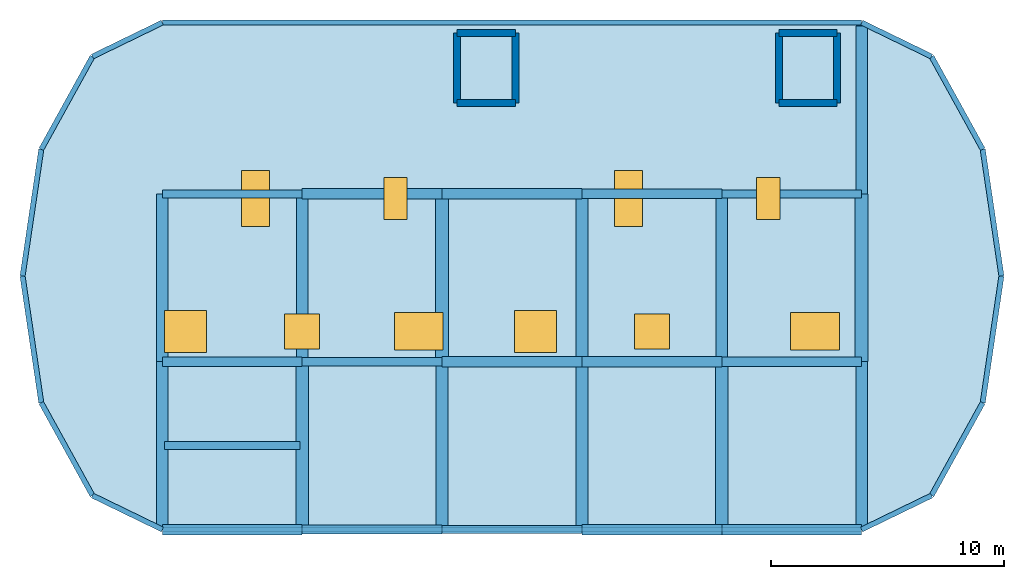
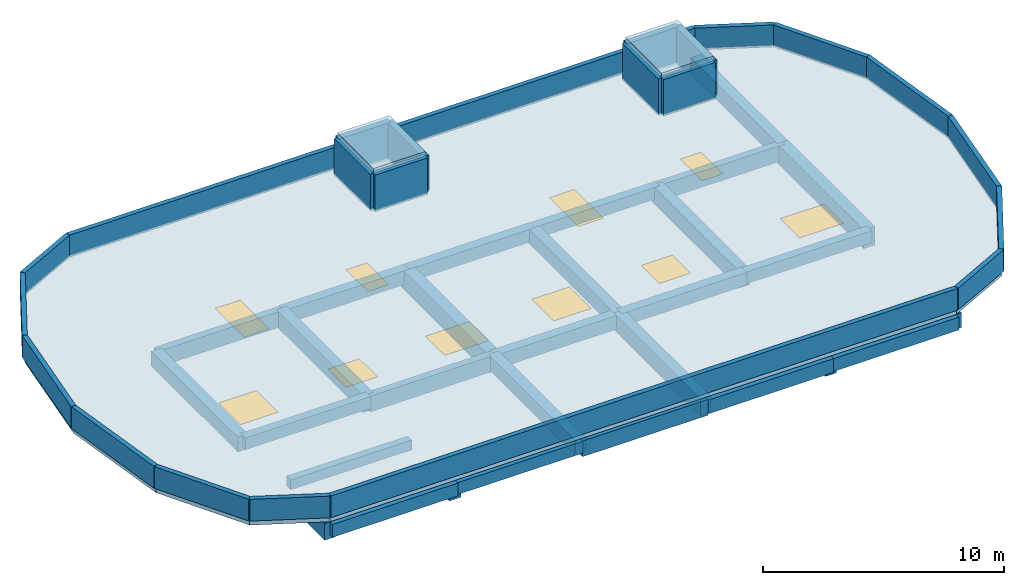
"""IFC4 building model written with IfcOpenShell, lengths in metres."""

from ifc_helpers import new_model, si_unit, direction, frame, frame_2d, origin, origin_2d, place, context, subcontext, project, spatial, polyline, rectangle, outline, extrude, material, layer, layer_set, material_profile, profile_set, type_object, element, fill, save


model = new_model("IFC4")

# Units and contexts
model_context = context("Model", 3, precision=1e-05, world=origin(), true_north=direction((0.0, 1.0)))
body_context = subcontext(model_context, "Body", "Model", "MODEL_VIEW")
ifc_project = project(units=[si_unit("LENGTHUNIT", "METRE"), si_unit("AREAUNIT", "SQUARE_METRE"), si_unit("VOLUMEUNIT", "CUBIC_METRE"), si_unit("PLANEANGLEUNIT", "RADIAN"), si_unit("MASSUNIT", "GRAM", prefix="KILO")], contexts=[model_context])

# Site, building, storey
site_placement = place(None, origin())
site = spatial("IfcSite", under=ifc_project, at=site_placement, CompositionType="ELEMENT")
building_placement = place(site_placement, origin())
building = spatial("IfcBuilding", under=site, at=building_placement, Name="Dunvalen Ferry Terminal", CompositionType="ELEMENT")
storey_1_placement = place(building_placement, frame((0.0, 0.0, 21.06005859375)))
storey_1 = spatial("IfcBuildingStorey", under=building, at=storey_1_placement, Name="RF", CompositionType="ELEMENT", Elevation=21.06005859375)

# Beams
ifc_material_1 = material(Name="Concrete C35/45", Category="concrete")
ifc_material_profile_1 = material_profile(ifc_material_1, rectangle(XDim=0.35009765625, YDim=0.5, at=origin_2d()), Name="Concrete C35/45")
ifc_profile_set_1 = profile_set([ifc_material_profile_1], Name="Concrete C35/45")
beam_type_1 = type_object("IfcBeamType", Name="STR-BM-RCB500W", PredefinedType="JOIST", material=ifc_profile_set_1)
beam_1_placement = place(storey_1_placement, frame((24.10009765625, 3.60009765625, -0.530029296875), z_axis=(1.0, 0.0, 0.0), x_axis=(0.0, 1.0, 0.0)))
element("IfcBeam", 1, at=beam_1_placement, inside=storey_1, type_object=beam_type_1, Name="RF V5P0 Secondary Joist 001", PredefinedType="JOIST", context=body_context, shape_type="SweptSolid", body=[
    extrude(rectangle(XDim=0.35009765625, YDim=0.5, at=origin_2d()), origin(), (0.0, 0.0, 1.0), 5.7998046875),
])
ifc_material_profile_2 = material_profile(ifc_material_1, rectangle(XDim=0.39990234375, YDim=0.60009765625, at=origin_2d()), Name="Concrete C35/45")
ifc_profile_set_2 = profile_set([ifc_material_profile_2], Name="Concrete C35/45")
beam_type_2 = type_object("IfcBeamType", Name="STR-BM-RCB600", PredefinedType="BEAM", material=ifc_profile_set_2)
for number, where, z_axis, x_axis, name in (
    (2, (30.0, 0.0, -0.580078125), (1.0, 0.0, 0.0), (0.0, 1.0, 0.0), "RF V5P0 Primary Beam X-002"),
    (3, (24.0, 7.199951171875, -0.580078125), (1.0, 0.0, 0.0), (0.0, 1.0, 0.0), "RF V5P0 Primary Beam X-006"),
    (4, (48.0, 7.199951171875, -0.580078125), (1.0, 0.0, 0.0), (0.0, 1.0, 0.0), "RF V5P0 Primary Beam X-010"),
    (5, (42.0, 14.39990234375, -0.580078125), (1.0, 0.0, 0.0), (0.0, 1.0, 0.0), "RF V5P0 Primary Beam X-014"),
):
    element("IfcBeam", number, at=place(storey_1_placement, frame(where, z_axis=z_axis, x_axis=x_axis)), inside=storey_1, type_object=beam_type_2, Name=name, PredefinedType="BEAM", context=body_context, shape_type="SweptSolid", body=[
        extrude(rectangle(XDim=0.39990234375, YDim=0.60009765625, at=origin_2d()), origin(), (0.0, 0.0, 1.0), 6.0),
    ])
ifc_material_2 = material(Name="Concrete C40/50", Category="concrete")
ifc_material_profile_3 = material_profile(ifc_material_2, rectangle(XDim=0.449951171875, YDim=0.64990234375, at=origin_2d()), Name="Concrete C40/50")
ifc_profile_set_3 = profile_set([ifc_material_profile_3], Name="Concrete C40/50")
beam_type_3 = type_object("IfcBeamType", Name="STR-BM-RCB650W", PredefinedType="BEAM", material=ifc_profile_set_3)
for number, where, z_axis, x_axis, name in (
    (6, (24.0, 0.0, -0.60498046875), (1.0, 0.0, 0.0), (0.0, 1.0, 0.0), "RF V5P0 Primary Beam X-001"),
    (7, (48.0, 0.0, -0.60498046875), (1.0, 0.0, 0.0), (0.0, 1.0, 0.0), "RF V5P0 Primary Beam X-005"),
    (8, (42.0, 7.199951171875, -0.60498046875), (1.0, 0.0, 0.0), (0.0, 1.0, 0.0), "RF V5P0 Primary Beam X-009"),
    (9, (36.0, 14.39990234375, -0.60498046875), (1.0, 0.0, 0.0), (0.0, 1.0, 0.0), "RF V5P0 Primary Beam X-013"),
):
    element("IfcBeam", number, at=place(storey_1_placement, frame(where, z_axis=z_axis, x_axis=x_axis)), inside=storey_1, type_object=beam_type_3, Name=name, PredefinedType="BEAM", context=body_context, shape_type="SweptSolid", body=[
        extrude(rectangle(XDim=0.449951171875, YDim=0.64990234375, at=origin_2d()), origin(), (0.0, 0.0, 1.0), 6.0),
    ])
ifc_material_profile_4 = material_profile(ifc_material_2, rectangle(XDim=0.449951171875, YDim=0.699951171875, at=origin_2d()), Name="Concrete C40/50")
ifc_profile_set_4 = profile_set([ifc_material_profile_4], Name="Concrete C40/50")
beam_type_4 = type_object("IfcBeamType", Name="STR-BM-RCB700", PredefinedType="BEAM", material=ifc_profile_set_4)
for number, where, z_axis, x_axis, name in (
    (10, (42.0, 0.0, -0.630126953125), (1.0, 0.0, 0.0), (0.0, 1.0, 0.0), "RF V5P0 Primary Beam X-004"),
    (11, (36.0, 7.199951171875, -0.630126953125), (1.0, 0.0, 0.0), (0.0, 1.0, 0.0), "RF V5P0 Primary Beam X-008"),
    (12, (30.0, 14.39990234375, -0.630126953125), (1.0, 0.0, 0.0), (0.0, 1.0, 0.0), "RF V5P0 Primary Beam X-012"),
):
    element("IfcBeam", number, at=place(storey_1_placement, frame(where, z_axis=z_axis, x_axis=x_axis)), inside=storey_1, type_object=beam_type_4, Name=name, PredefinedType="BEAM", context=body_context, shape_type="SweptSolid", body=[
        extrude(rectangle(XDim=0.449951171875, YDim=0.699951171875, at=origin_2d()), origin(), (0.0, 0.0, 1.0), 6.0),
    ])
ifc_material_profile_5 = material_profile(ifc_material_2, rectangle(XDim=0.5, YDim=0.75, at=origin_2d()), Name="Concrete C40/50")
ifc_profile_set_5 = profile_set([ifc_material_profile_5], Name="Concrete C40/50")
beam_type_5 = type_object("IfcBeamType", Name="STR-BM-RCB750", PredefinedType="BEAM", material=ifc_profile_set_5)
for number, where, z_axis, x_axis, name in (
    (13, (24.0, 7.199951171875, -0.655029296875), (0.0, 1.0, 0.0), (-1.0, 0.0, 0.0), "RF V5P0 Primary Girder Y-017"),
    (14, (36.0, 0.0, -0.655029296875), (0.0, 1.0, 0.0), (-1.0, 0.0, 0.0), "RF V5P0 Primary Girder Y-020"),
    (15, (42.0, 7.199951171875, -0.655029296875), (0.0, 1.0, 0.0), (-1.0, 0.0, 0.0), "RF V5P0 Primary Girder Y-023"),
    (16, (54.0, 0.0, -0.655029296875), (0.0, 1.0, 0.0), (-1.0, 0.0, 0.0), "RF V5P0 Primary Girder Y-026"),
):
    element("IfcBeam", number, at=place(storey_1_placement, frame(where, z_axis=z_axis, x_axis=x_axis)), inside=storey_1, type_object=beam_type_5, Name=name, PredefinedType="BEAM", context=body_context, shape_type="SweptSolid", body=[
        extrude(rectangle(XDim=0.5, YDim=0.75, at=origin_2d()), origin(), (0.0, 0.0, 1.0), 7.199951171875),
    ])
ifc_material_profile_6 = material_profile(ifc_material_2, rectangle(XDim=0.5, YDim=0.85009765625, at=origin_2d()), Name="Concrete C40/50")
ifc_profile_set_6 = profile_set([ifc_material_profile_6], Name="Concrete C40/50")
beam_type_6 = type_object("IfcBeamType", Name="STR-BM-RCG850", PredefinedType="BEAM", material=ifc_profile_set_6)
for number, where, z_axis, x_axis, name in (
    (17, (24.0, 0.0, -0.705078125), (0.0, 1.0, 0.0), (-1.0, 0.0, 0.0), "RF V5P0 Primary Girder Y-016"),
    (18, (30.0, 7.199951171875, -0.705078125), (0.0, 1.0, 0.0), (-1.0, 0.0, 0.0), "RF V5P0 Primary Girder Y-019"),
    (19, (42.0, 0.0, -0.705078125), (0.0, 1.0, 0.0), (-1.0, 0.0, 0.0), "RF V5P0 Primary Girder Y-022"),
    (20, (48.0, 7.199951171875, -0.705078125), (0.0, 1.0, 0.0), (-1.0, 0.0, 0.0), "RF V5P0 Primary Girder Y-025"),
):
    element("IfcBeam", number, at=place(storey_1_placement, frame(where, z_axis=z_axis, x_axis=x_axis)), inside=storey_1, type_object=beam_type_6, Name=name, PredefinedType="BEAM", context=body_context, shape_type="SweptSolid", body=[
        extrude(rectangle(XDim=0.5, YDim=0.85009765625, at=origin_2d()), origin(), (0.0, 0.0, 1.0), 7.199951171875),
    ])
beam_2_placement = place(storey_1_placement, frame((54.0, 14.39990234375, -0.705078125), z_axis=(0.0, 1.0, 0.0), x_axis=(-1.0, 0.0, 0.0)))
element("IfcBeam", 21, at=beam_2_placement, inside=storey_1, type_object=beam_type_6, Name="RF V5P0 Primary Girder Y-028", PredefinedType="BEAM", context=body_context, shape_type="SweptSolid", body=[
    extrude(rectangle(XDim=0.5, YDim=0.85009765625, at=origin_2d()), origin(), (0.0, 0.0, 1.0), 7.2001953125),
])
ifc_material_profile_7 = material_profile(ifc_material_2, rectangle(XDim=0.550048828125, YDim=0.949951171875, at=origin_2d()), Name="Concrete C40/50")
ifc_profile_set_7 = profile_set([ifc_material_profile_7], Name="Concrete C40/50")
beam_type_7 = type_object("IfcBeamType", Name="STR-BM-RCG950", PredefinedType="BEAM", material=ifc_profile_set_7)
for number, where, z_axis, x_axis, name in (
    (22, (30.0, 0.0, -0.755126953125), (0.0, 1.0, 0.0), (-1.0, 0.0, 0.0), "RF V5P0 Primary Girder Y-018"),
    (23, (36.0, 7.199951171875, -0.755126953125), (0.0, 1.0, 0.0), (-1.0, 0.0, 0.0), "RF V5P0 Primary Girder Y-021"),
    (24, (48.0, 0.0, -0.755126953125), (0.0, 1.0, 0.0), (-1.0, 0.0, 0.0), "RF V5P0 Primary Girder Y-024"),
    (25, (54.0, 7.199951171875, -0.755126953125), (0.0, 1.0, 0.0), (-1.0, 0.0, 0.0), "RF V5P0 Primary Girder Y-027"),
):
    element("IfcBeam", number, at=place(storey_1_placement, frame(where, z_axis=z_axis, x_axis=x_axis)), inside=storey_1, type_object=beam_type_7, Name=name, PredefinedType="BEAM", context=body_context, shape_type="SweptSolid", body=[
        extrude(rectangle(XDim=0.550048828125, YDim=0.949951171875, at=origin_2d()), origin(), (0.0, 0.0, 1.0), 7.199951171875),
    ])
ifc_material_profile_8 = material_profile(ifc_material_2, rectangle(XDim=0.35009765625, YDim=0.800048828125, at=origin_2d()), Name="Concrete C40/50")
ifc_profile_set_8 = profile_set([ifc_material_profile_8], Name="Concrete C40/50")
beam_type_8 = type_object("IfcBeamType", Name="STR-BM-RCSP800", PredefinedType="SPANDREL", material=ifc_profile_set_8)
for number, where, z_axis, x_axis, name in (
    (26, (36.0, 0.0, -0.68017578125), (1.0, 0.0, 0.0), (0.0, 1.0, 0.0), "RF V5P0 Primary Beam X-003"),
    (27, (30.0, 7.199951171875, -0.68017578125), (1.0, 0.0, 0.0), (0.0, 1.0, 0.0), "RF V5P0 Primary Beam X-007"),
    (28, (24.0, 14.39990234375, -0.68017578125), (1.0, 0.0, 0.0), (0.0, 1.0, 0.0), "RF V5P0 Primary Beam X-011"),
    (29, (48.0, 14.39990234375, -0.68017578125), (1.0, 0.0, 0.0), (0.0, 1.0, 0.0), "RF V5P0 Primary Beam X-015"),
):
    element("IfcBeam", number, at=place(storey_1_placement, frame(where, z_axis=z_axis, x_axis=x_axis)), inside=storey_1, type_object=beam_type_8, Name=name, PredefinedType="SPANDREL", context=body_context, shape_type="SweptSolid", body=[
        extrude(rectangle(XDim=0.35009765625, YDim=0.800048828125, at=origin_2d()), origin(), (0.0, 0.0, 1.0), 6.0),
    ])

# Slabs
ifc_layer_1 = layer(ifc_material_2, 0.239990234375, Name="Concrete C40/50")
ifc_layer_set_1 = layer_set([ifc_layer_1], Name="Concrete C40/50")
slab_type_1 = type_object("IfcSlabType", Name="STR-SLB-RF240", PredefinedType="ROOF", material=ifc_layer_set_1)
slab_1_placement = place(storey_1_placement, frame((0.0, 0.0, 1.83984375)))
element("IfcSlab", 30, at=slab_1_placement, inside=storey_1, type_object=slab_type_1, Name="RF LF-01 Lift Overrun Roof Slab", PredefinedType="ROOF", context=body_context, shape_type="SweptSolid", body=[
    extrude(outline(polyline([(36.64990234375, 18.300048828125), (39.14990234375, 18.300048828125), (39.14990234375, 21.300048828125), (36.64990234375, 21.300048828125), (36.64990234375, 18.300048828125)])), origin(), (0.0, 0.0, 1.0), 0.239990234375),
])
slab_2_placement = place(storey_1_placement, frame((0.0, 0.0, 1.83984375)))
element("IfcSlab", 31, at=slab_2_placement, inside=storey_1, type_object=slab_type_1, Name="RF LF-02 Lift Overrun Roof Slab", PredefinedType="ROOF", context=body_context, shape_type="SweptSolid", body=[
    extrude(outline(polyline([(50.449951171875, 18.300048828125), (52.949951171875, 18.300048828125), (52.949951171875, 21.300048828125), (50.449951171875, 21.300048828125), (50.449951171875, 18.300048828125)])), origin(), (0.0, 0.0, 1.0), 0.239990234375),
])

# Slab, openings
ifc_layer_2 = layer(ifc_material_2, 0.280029296875, Name="Concrete C40/50")
ifc_layer_set_2 = layer_set([ifc_layer_2], Name="Concrete C40/50")
slab_type_2 = type_object("IfcSlabType", Name="STR-SLB-RF280", PredefinedType="ROOF", material=ifc_layer_set_2)
slab_3_placement = place(storey_1_placement, frame((0.0, 0.0, -0.280029296875)))
slab_3 = element("IfcSlab", 32, at=slab_3_placement, inside=storey_1, type_object=slab_type_2, Name="RF Harbourmaster Wing Main Roof Slab", PredefinedType="ROOF", context=body_context, shape_type="SweptSolid", body=[
    extrude(outline(polyline([(24.0, 0.0), (54.0, 0.0), (57.0, 1.45703125), (59.1962890625, 5.4375), (60.0, 10.875), (59.1962890625, 16.3125), (57.0, 20.29296875), (54.0, 21.75), (24.0, 21.75), (21.0, 20.29296875), (18.8037109375, 16.3125), (18.0, 10.875), (18.8037109375, 5.4375), (21.0, 1.45703125), (24.0, 0.0)])), origin(), (0.0, 0.0, 1.0), 0.280029296875),
])
opening_1_placement = place(slab_3_placement, frame((28.0, 14.199951171875, 0.0)))
opening_1 = element("IfcOpeningElement", 33, at=opening_1_placement, cuts=slab_3, Name="Opening SK-01", PredefinedType="OPENING", context=body_context, shape_type="SweptSolid", body=[
    extrude(rectangle(XDim=1.199951171875, YDim=2.39990234375, at=origin_2d()), origin(), (0.0, 0.0, 1.0), 0.280029296875),
])
opening_2_placement = place(slab_3_placement, frame((34.0, 14.199951171875, 0.0)))
opening_2 = element("IfcOpeningElement", 34, at=opening_2_placement, cuts=slab_3, Name="Opening SK-03", PredefinedType="OPENING", context=body_context, shape_type="SweptSolid", body=[
    extrude(rectangle(XDim=1.0, YDim=1.800048828125, at=origin_2d()), origin(), (0.0, 0.0, 1.0), 0.280029296875),
])
opening_3_placement = place(slab_3_placement, frame((44.0, 14.199951171875, 0.0)))
opening_3 = element("IfcOpeningElement", 35, at=opening_3_placement, cuts=slab_3, Name="Opening SK-01", PredefinedType="OPENING", context=body_context, shape_type="SweptSolid", body=[
    extrude(rectangle(XDim=1.199951171875, YDim=2.39990234375, at=origin_2d()), origin(), (0.0, 0.0, 1.0), 0.280029296875),
])
opening_4_placement = place(slab_3_placement, frame((50.0, 14.199951171875, 0.0)))
opening_4 = element("IfcOpeningElement", 36, at=opening_4_placement, cuts=slab_3, Name="Opening SK-03", PredefinedType="OPENING", context=body_context, shape_type="SweptSolid", body=[
    extrude(rectangle(XDim=1.0, YDim=1.800048828125, at=origin_2d()), origin(), (0.0, 0.0, 1.0), 0.280029296875),
])
opening_5_placement = place(slab_3_placement, frame((25.0, 8.5, 0.0)))
opening_5 = element("IfcOpeningElement", 37, at=opening_5_placement, cuts=slab_3, Name="Opening LDM-01", PredefinedType="OPENING", context=body_context, shape_type="SweptSolid", body=[
    extrude(rectangle(XDim=1.800048828125, YDim=1.800048828125, at=origin_2d()), origin(), (0.0, 0.0, 1.0), 0.280029296875),
])
opening_6_placement = place(slab_3_placement, frame((30.0, 8.5, 0.0)))
opening_6 = element("IfcOpeningElement", 38, at=opening_6_placement, cuts=slab_3, Name="Opening LDM-02", PredefinedType="OPENING", context=body_context, shape_type="SweptSolid", body=[
    extrude(rectangle(XDim=1.5, YDim=1.5, at=origin_2d()), origin(), (0.0, 0.0, 1.0), 0.280029296875),
])
opening_7_placement = place(slab_3_placement, frame((35.0, 8.5, 0.0)))
opening_7 = element("IfcOpeningElement", 39, at=opening_7_placement, cuts=slab_3, Name="Opening LDM-03", PredefinedType="OPENING", context=body_context, shape_type="SweptSolid", body=[
    extrude(rectangle(XDim=2.10009765625, YDim=1.60009765625, at=origin_2d()), origin(), (0.0, 0.0, 1.0), 0.280029296875),
])
opening_8_placement = place(slab_3_placement, frame((40.0, 8.5, 0.0)))
opening_8 = element("IfcOpeningElement", 40, at=opening_8_placement, cuts=slab_3, Name="Opening LDM-01", PredefinedType="OPENING", context=body_context, shape_type="SweptSolid", body=[
    extrude(rectangle(XDim=1.800048828125, YDim=1.800048828125, at=origin_2d()), origin(), (0.0, 0.0, 1.0), 0.280029296875),
])
opening_9_placement = place(slab_3_placement, frame((45.0, 8.5, 0.0)))
opening_9 = element("IfcOpeningElement", 41, at=opening_9_placement, cuts=slab_3, Name="Opening LDM-02", PredefinedType="OPENING", context=body_context, shape_type="SweptSolid", body=[
    extrude(rectangle(XDim=1.5, YDim=1.5, at=origin_2d()), origin(), (0.0, 0.0, 1.0), 0.280029296875),
])
opening_10_placement = place(slab_3_placement, frame((52.0, 8.5, 0.0)))
opening_10 = element("IfcOpeningElement", 42, at=opening_10_placement, cuts=slab_3, Name="Opening LDM-03", PredefinedType="OPENING", context=body_context, shape_type="SweptSolid", body=[
    extrude(rectangle(XDim=2.10009765625, YDim=1.60009765625, at=origin_2d()), origin(), (0.0, 0.0, 1.0), 0.280029296875),
])

# Storey
storey_2_placement = place(building_placement, frame((0.0, 0.0, 17.320068359375)))
storey_2 = spatial("IfcBuildingStorey", under=building, at=storey_2_placement, Name="L04", CompositionType="ELEMENT", Elevation=17.320068359375)

# Window
ifc_material_3 = material(Name="Thermally broken aluminium and double glazing", Category="aluminium")
window_type_1 = type_object("IfcWindowType", Name="ENV-SKY-DOM-01", PartitioningType="SINGLE_PANEL", PredefinedType="LIGHTDOME", material=ifc_material_3)
window_1_placement = place(opening_5_placement, frame((0.0, 0.0, 0.22998046875)))
window_1 = element("IfcWindow", 43, at=window_1_placement, inside=storey_2, type_object=window_type_1, Name="RF Harbourmaster Bridge Acoustic Lightdome 01", OverallHeight=1.800048828125, OverallWidth=1.800048828125, PartitioningType="SINGLE_PANEL", PredefinedType="LIGHTDOME", context=body_context, shape_type="SweptSolid", body=[
    extrude(rectangle(XDim=1.800048828125, YDim=1.800048828125, at=origin_2d()), origin(), (0.0, 0.0, 1.0), 0.050048828125),
])

fill(opening_5, window_1)

window_2_placement = place(opening_8_placement, frame((0.0, 0.0, 0.22998046875)))
window_2 = element("IfcWindow", 44, at=window_2_placement, inside=storey_2, type_object=window_type_1, Name="RF Harbourmaster Bridge Acoustic Lightdome 04", OverallHeight=1.800048828125, OverallWidth=1.800048828125, PartitioningType="SINGLE_PANEL", PredefinedType="LIGHTDOME", context=body_context, shape_type="SweptSolid", body=[
    extrude(rectangle(XDim=1.800048828125, YDim=1.800048828125, at=origin_2d()), origin(), (0.0, 0.0, 1.0), 0.050048828125),
])

fill(opening_8, window_2)

window_type_2 = type_object("IfcWindowType", Name="ENV-SKY-DOM-02", PartitioningType="SINGLE_PANEL", PredefinedType="LIGHTDOME", material=ifc_material_3)
window_3_placement = place(opening_6_placement, frame((0.0, 0.0, 0.22998046875)))
window_3 = element("IfcWindow", 45, at=window_3_placement, inside=storey_2, type_object=window_type_2, Name="RF Harbourmaster Bridge Acoustic Lightdome 02", OverallHeight=1.5, OverallWidth=1.5, PartitioningType="SINGLE_PANEL", PredefinedType="LIGHTDOME", context=body_context, shape_type="SweptSolid", body=[
    extrude(rectangle(XDim=1.5, YDim=1.5, at=origin_2d()), origin(), (0.0, 0.0, 1.0), 0.050048828125),
])

fill(opening_6, window_3)

window_4_placement = place(opening_9_placement, frame((0.0, 0.0, 0.22998046875)))
window_4 = element("IfcWindow", 46, at=window_4_placement, inside=storey_2, type_object=window_type_2, Name="RF Harbourmaster Bridge Acoustic Lightdome 05", OverallHeight=1.5, OverallWidth=1.5, PartitioningType="SINGLE_PANEL", PredefinedType="LIGHTDOME", context=body_context, shape_type="SweptSolid", body=[
    extrude(rectangle(XDim=1.5, YDim=1.5, at=origin_2d()), origin(), (0.0, 0.0, 1.0), 0.050048828125),
])

fill(opening_9, window_4)

window_type_3 = type_object("IfcWindowType", Name="ENV-SKY-DOM-03", PartitioningType="SINGLE_PANEL", PredefinedType="LIGHTDOME", material=ifc_material_3)
window_5_placement = place(opening_7_placement, frame((0.0, 0.0, 0.22998046875)))
window_5 = element("IfcWindow", 47, at=window_5_placement, inside=storey_2, type_object=window_type_3, Name="RF Harbourmaster Bridge Acoustic Lightdome 03", OverallHeight=1.60009765625, OverallWidth=2.10009765625, PartitioningType="SINGLE_PANEL", PredefinedType="LIGHTDOME", context=body_context, shape_type="SweptSolid", body=[
    extrude(rectangle(XDim=2.10009765625, YDim=1.60009765625, at=origin_2d()), origin(), (0.0, 0.0, 1.0), 0.050048828125),
])

fill(opening_7, window_5)

window_6_placement = place(opening_10_placement, frame((0.0, 0.0, 0.22998046875)))
window_6 = element("IfcWindow", 48, at=window_6_placement, inside=storey_2, type_object=window_type_3, Name="RF Harbourmaster Bridge Acoustic Lightdome 06", OverallHeight=1.60009765625, OverallWidth=2.10009765625, PartitioningType="SINGLE_PANEL", PredefinedType="LIGHTDOME", context=body_context, shape_type="SweptSolid", body=[
    extrude(rectangle(XDim=2.10009765625, YDim=1.60009765625, at=origin_2d()), origin(), (0.0, 0.0, 1.0), 0.050048828125),
])

fill(opening_10, window_6)

window_type_4 = type_object("IfcWindowType", Name="ENV-SKY-HTH-01", PartitioningType="SINGLE_PANEL", PredefinedType="SKYLIGHT", material=ifc_material_3)
window_7_placement = place(opening_1_placement, frame((0.0, 0.0, 0.22998046875)))
window_7 = element("IfcWindow", 49, at=window_7_placement, inside=storey_2, type_object=window_type_4, Name="RF Roof Access Hatch Skylight 01", OverallHeight=2.39990234375, OverallWidth=1.199951171875, PartitioningType="SINGLE_PANEL", PredefinedType="SKYLIGHT", context=body_context, shape_type="SweptSolid", body=[
    extrude(rectangle(XDim=1.199951171875, YDim=2.39990234375, at=origin_2d()), origin(), (0.0, 0.0, 1.0), 0.050048828125),
])

fill(opening_1, window_7)

window_8_placement = place(opening_3_placement, frame((0.0, 0.0, 0.22998046875)))
window_8 = element("IfcWindow", 50, at=window_8_placement, inside=storey_2, type_object=window_type_4, Name="RF Roof Access Hatch Skylight 03", OverallHeight=2.39990234375, OverallWidth=1.199951171875, PartitioningType="SINGLE_PANEL", PredefinedType="SKYLIGHT", context=body_context, shape_type="SweptSolid", body=[
    extrude(rectangle(XDim=1.199951171875, YDim=2.39990234375, at=origin_2d()), origin(), (0.0, 0.0, 1.0), 0.050048828125),
])

fill(opening_3, window_8)

window_type_5 = type_object("IfcWindowType", Name="ENV-SKY-HTH-03", PartitioningType="SINGLE_PANEL", PredefinedType="SKYLIGHT", material=ifc_material_3)
window_9_placement = place(opening_2_placement, frame((0.0, 0.0, 0.22998046875)))
window_9 = element("IfcWindow", 51, at=window_9_placement, inside=storey_2, type_object=window_type_5, Name="RF Roof Access Hatch Skylight 02", OverallHeight=1.800048828125, OverallWidth=1.0, PartitioningType="SINGLE_PANEL", PredefinedType="SKYLIGHT", context=body_context, shape_type="SweptSolid", body=[
    extrude(rectangle(XDim=1.0, YDim=1.800048828125, at=origin_2d()), origin(), (0.0, 0.0, 1.0), 0.050048828125),
])

fill(opening_2, window_9)

window_10_placement = place(opening_4_placement, frame((0.0, 0.0, 0.22998046875)))
window_10 = element("IfcWindow", 52, at=window_10_placement, inside=storey_2, type_object=window_type_5, Name="RF Roof Access Hatch Skylight 04", OverallHeight=1.800048828125, OverallWidth=1.0, PartitioningType="SINGLE_PANEL", PredefinedType="SKYLIGHT", context=body_context, shape_type="SweptSolid", body=[
    extrude(rectangle(XDim=1.0, YDim=1.800048828125, at=origin_2d()), origin(), (0.0, 0.0, 1.0), 0.050048828125),
])

fill(opening_4, window_10)

# Walls
ifc_material_4 = material(Name="Precast concrete C40/50", Category="concrete")
ifc_layer_3 = layer(ifc_material_4, 0.219970703125, Name="Precast concrete C40/50")
ifc_layer_set_3 = layer_set([ifc_layer_3], Name="Precast concrete C40/50")
wall_type_1 = type_object("IfcWallType", Name="ENV-WL-PAR220", PredefinedType="PARAPET", material=ifc_layer_set_3)
wall_1_placement = place(storey_1_placement, frame((24.0, 0.0, 0.0), z_axis=(0.0, 0.0, 1.0), x_axis=(1.0, 0.0, 0.0)))
element("IfcWall", 53, at=wall_1_placement, inside=storey_1, type_object=wall_type_1, Name="RF Harbourmaster Wing Roof Parapet 01", PredefinedType="PARAPET", context=body_context, shape_type="SweptSolid", body=[
    extrude(rectangle(XDim=30.0, YDim=0.219970703125, at=frame_2d((15.0, 0.0))), origin(), (0.0, 0.0, 1.0), 1.099853515625),
])
wall_2_placement = place(storey_1_placement, frame((54.0, 0.0, 0.0), z_axis=(0.0, 0.0, 1.0), x_axis=(0.899521309608, 0.436876886046, 0.0)))
element("IfcWall", 54, at=wall_2_placement, inside=storey_1, type_object=wall_type_1, Name="RF Harbourmaster Wing Roof Parapet 02", PredefinedType="PARAPET", context=body_context, shape_type="SweptSolid", body=[
    extrude(rectangle(XDim=3.335205078125, YDim=0.219970703125, at=frame_2d((1.66748046875, 0.0))), origin(), (0.0, 0.0, 1.0), 1.099853515625),
])
wall_3_placement = place(storey_1_placement, frame((57.0, 1.45703125, 0.0), z_axis=(0.0, 0.0, 1.0), x_axis=(0.483105735842, 0.875562018361, 0.0)))
element("IfcWall", 55, at=wall_3_placement, inside=storey_1, type_object=wall_type_1, Name="RF Harbourmaster Wing Roof Parapet 03", PredefinedType="PARAPET", context=body_context, shape_type="SweptSolid", body=[
    extrude(rectangle(XDim=4.546142578125, YDim=0.219970703125, at=frame_2d((2.27294921875, 0.0))), origin(), (0.0, 0.0, 1.0), 1.099853515625),
])
for number, where, z_axis, x_axis, name in (
    (56, (59.1962890625, 5.4375, 0.0), (0.0, 0.0, 1.0), (0.146220266432, 0.98925205771, 0.0), "RF Harbourmaster Wing Roof Parapet 04"),
    (57, (60.0, 10.875, 0.0), (0.0, 0.0, 1.0), (-0.146220266432, 0.98925205771, 0.0), "RF Harbourmaster Wing Roof Parapet 05"),
):
    element("IfcWall", number, at=place(storey_1_placement, frame(where, z_axis=z_axis, x_axis=x_axis)), inside=storey_1, type_object=wall_type_1, Name=name, PredefinedType="PARAPET", context=body_context, shape_type="SweptSolid", body=[
        extrude(rectangle(XDim=5.49658203125, YDim=0.219970703125, at=frame_2d((2.748291015625, 0.0))), origin(), (0.0, 0.0, 1.0), 1.099853515625),
    ])
wall_4_placement = place(storey_1_placement, frame((59.1962890625, 16.3125, 0.0), z_axis=(0.0, 0.0, 1.0), x_axis=(-0.483105735842, 0.875562018361, 0.0)))
element("IfcWall", 58, at=wall_4_placement, inside=storey_1, type_object=wall_type_1, Name="RF Harbourmaster Wing Roof Parapet 06", PredefinedType="PARAPET", context=body_context, shape_type="SweptSolid", body=[
    extrude(rectangle(XDim=4.546142578125, YDim=0.219970703125, at=frame_2d((2.27294921875, 0.0))), origin(), (0.0, 0.0, 1.0), 1.099853515625),
])
wall_5_placement = place(storey_1_placement, frame((57.0, 20.29296875, 0.0), z_axis=(0.0, 0.0, 1.0), x_axis=(-0.899521309608, 0.436876886046, 0.0)))
element("IfcWall", 59, at=wall_5_placement, inside=storey_1, type_object=wall_type_1, Name="RF Harbourmaster Wing Roof Parapet 07", PredefinedType="PARAPET", context=body_context, shape_type="SweptSolid", body=[
    extrude(rectangle(XDim=3.335205078125, YDim=0.219970703125, at=frame_2d((1.66748046875, 0.0))), origin(), (0.0, 0.0, 1.0), 1.099853515625),
])
wall_6_placement = place(storey_1_placement, frame((54.0, 21.75, 0.0), z_axis=(0.0, 0.0, 1.0), x_axis=(-1.0, 0.0, 0.0)))
element("IfcWall", 60, at=wall_6_placement, inside=storey_1, type_object=wall_type_1, Name="RF Harbourmaster Wing Roof Parapet 08", PredefinedType="PARAPET", context=body_context, shape_type="SweptSolid", body=[
    extrude(rectangle(XDim=30.0, YDim=0.219970703125, at=frame_2d((15.0, 0.0))), origin(), (0.0, 0.0, 1.0), 1.099853515625),
])
wall_7_placement = place(storey_1_placement, frame((24.0, 21.75, 0.0), z_axis=(0.0, 0.0, 1.0), x_axis=(-0.899521309608, -0.436876886046, 0.0)))
element("IfcWall", 61, at=wall_7_placement, inside=storey_1, type_object=wall_type_1, Name="RF Harbourmaster Wing Roof Parapet 09", PredefinedType="PARAPET", context=body_context, shape_type="SweptSolid", body=[
    extrude(rectangle(XDim=3.335205078125, YDim=0.219970703125, at=frame_2d((1.66748046875, 0.0))), origin(), (0.0, 0.0, 1.0), 1.099853515625),
])
wall_8_placement = place(storey_1_placement, frame((21.0, 20.29296875, 0.0), z_axis=(0.0, 0.0, 1.0), x_axis=(-0.483105735842, -0.875562018361, 0.0)))
element("IfcWall", 62, at=wall_8_placement, inside=storey_1, type_object=wall_type_1, Name="RF Harbourmaster Wing Roof Parapet 10", PredefinedType="PARAPET", context=body_context, shape_type="SweptSolid", body=[
    extrude(rectangle(XDim=4.546142578125, YDim=0.219970703125, at=frame_2d((2.27294921875, 0.0))), origin(), (0.0, 0.0, 1.0), 1.099853515625),
])
for number, where, z_axis, x_axis, name in (
    (63, (18.8037109375, 16.3125, 0.0), (0.0, 0.0, 1.0), (-0.146220266432, -0.98925205771, 0.0), "RF Harbourmaster Wing Roof Parapet 11"),
    (64, (18.0, 10.875, 0.0), (0.0, 0.0, 1.0), (0.146220266432, -0.98925205771, 0.0), "RF Harbourmaster Wing Roof Parapet 12"),
):
    element("IfcWall", number, at=place(storey_1_placement, frame(where, z_axis=z_axis, x_axis=x_axis)), inside=storey_1, type_object=wall_type_1, Name=name, PredefinedType="PARAPET", context=body_context, shape_type="SweptSolid", body=[
        extrude(rectangle(XDim=5.49658203125, YDim=0.219970703125, at=frame_2d((2.748291015625, 0.0))), origin(), (0.0, 0.0, 1.0), 1.099853515625),
    ])
wall_9_placement = place(storey_1_placement, frame((18.8037109375, 5.4375, 0.0), z_axis=(0.0, 0.0, 1.0), x_axis=(0.483105735842, -0.875562018361, 0.0)))
element("IfcWall", 65, at=wall_9_placement, inside=storey_1, type_object=wall_type_1, Name="RF Harbourmaster Wing Roof Parapet 13", PredefinedType="PARAPET", context=body_context, shape_type="SweptSolid", body=[
    extrude(rectangle(XDim=4.546142578125, YDim=0.219970703125, at=frame_2d((2.27294921875, 0.0))), origin(), (0.0, 0.0, 1.0), 1.099853515625),
])
wall_10_placement = place(storey_1_placement, frame((21.0, 1.45703125, 0.0), z_axis=(0.0, 0.0, 1.0), x_axis=(0.899521309608, -0.436876886046, 0.0)))
element("IfcWall", 66, at=wall_10_placement, inside=storey_1, type_object=wall_type_1, Name="RF Harbourmaster Wing Roof Parapet 14", PredefinedType="PARAPET", context=body_context, shape_type="SweptSolid", body=[
    extrude(rectangle(XDim=3.335205078125, YDim=0.219970703125, at=frame_2d((1.66748046875, 0.0))), origin(), (0.0, 0.0, 1.0), 1.099853515625),
])
ifc_layer_4 = layer(ifc_material_2, 0.300048828125, Name="Concrete C40/50")
ifc_layer_set_4 = layer_set([ifc_layer_4], Name="Concrete C40/50")
wall_type_2 = type_object("IfcWallType", Name="STR-WL-SHR300", PredefinedType="SHEAR", material=ifc_layer_set_4)
wall_11_placement = place(storey_1_placement, frame((36.64990234375, 18.300048828125, 0.0), z_axis=(0.0, 0.0, 1.0), x_axis=(1.0, 0.0, 0.0)))
element("IfcWall", 67, at=wall_11_placement, inside=storey_1, type_object=wall_type_2, Name="RF LF-01 Lift Overrun Enclosure Wall 1", PredefinedType="SHEAR", context=body_context, shape_type="SweptSolid", body=[
    extrude(rectangle(XDim=2.5, YDim=0.300048828125, at=frame_2d((1.25, 0.0))), origin(), (0.0, 0.0, 1.0), 1.83984375),
])
wall_12_placement = place(storey_1_placement, frame((39.14990234375, 18.300048828125, 0.0), z_axis=(0.0, 0.0, 1.0), x_axis=(0.0, 1.0, 0.0)))
element("IfcWall", 68, at=wall_12_placement, inside=storey_1, type_object=wall_type_2, Name="RF LF-01 Lift Overrun Enclosure Wall 2", PredefinedType="SHEAR", context=body_context, shape_type="SweptSolid", body=[
    extrude(rectangle(XDim=3.0, YDim=0.300048828125, at=frame_2d((1.5, 0.0))), origin(), (0.0, 0.0, 1.0), 1.83984375),
])
wall_13_placement = place(storey_1_placement, frame((39.14990234375, 21.300048828125, 0.0), z_axis=(0.0, 0.0, 1.0), x_axis=(-1.0, 0.0, 0.0)))
element("IfcWall", 69, at=wall_13_placement, inside=storey_1, type_object=wall_type_2, Name="RF LF-01 Lift Overrun Enclosure Wall 3", PredefinedType="SHEAR", context=body_context, shape_type="SweptSolid", body=[
    extrude(rectangle(XDim=2.5, YDim=0.300048828125, at=frame_2d((1.25, 0.0))), origin(), (0.0, 0.0, 1.0), 1.83984375),
])
wall_14_placement = place(storey_1_placement, frame((36.64990234375, 21.300048828125, 0.0), z_axis=(0.0, 0.0, 1.0), x_axis=(0.0, -1.0, 0.0)))
element("IfcWall", 70, at=wall_14_placement, inside=storey_1, type_object=wall_type_2, Name="RF LF-01 Lift Overrun Enclosure Wall 4", PredefinedType="SHEAR", context=body_context, shape_type="SweptSolid", body=[
    extrude(rectangle(XDim=3.0, YDim=0.300048828125, at=frame_2d((1.5, 0.0))), origin(), (0.0, 0.0, 1.0), 1.83984375),
])
wall_15_placement = place(storey_1_placement, frame((50.449951171875, 18.300048828125, 0.0), z_axis=(0.0, 0.0, 1.0), x_axis=(1.0, 0.0, 0.0)))
element("IfcWall", 71, at=wall_15_placement, inside=storey_1, type_object=wall_type_2, Name="RF LF-02 Lift Overrun Enclosure Wall 1", PredefinedType="SHEAR", context=body_context, shape_type="SweptSolid", body=[
    extrude(rectangle(XDim=2.5, YDim=0.300048828125, at=frame_2d((1.25, 0.0))), origin(), (0.0, 0.0, 1.0), 1.83984375),
])
wall_16_placement = place(storey_1_placement, frame((52.949951171875, 18.300048828125, 0.0), z_axis=(0.0, 0.0, 1.0), x_axis=(0.0, 1.0, 0.0)))
element("IfcWall", 72, at=wall_16_placement, inside=storey_1, type_object=wall_type_2, Name="RF LF-02 Lift Overrun Enclosure Wall 2", PredefinedType="SHEAR", context=body_context, shape_type="SweptSolid", body=[
    extrude(rectangle(XDim=3.0, YDim=0.300048828125, at=frame_2d((1.5, 0.0))), origin(), (0.0, 0.0, 1.0), 1.83984375),
])
wall_17_placement = place(storey_1_placement, frame((52.949951171875, 21.300048828125, 0.0), z_axis=(0.0, 0.0, 1.0), x_axis=(-1.0, 0.0, 0.0)))
element("IfcWall", 73, at=wall_17_placement, inside=storey_1, type_object=wall_type_2, Name="RF LF-02 Lift Overrun Enclosure Wall 3", PredefinedType="SHEAR", context=body_context, shape_type="SweptSolid", body=[
    extrude(rectangle(XDim=2.5, YDim=0.300048828125, at=frame_2d((1.25, 0.0))), origin(), (0.0, 0.0, 1.0), 1.83984375),
])
wall_18_placement = place(storey_1_placement, frame((50.449951171875, 21.300048828125, 0.0), z_axis=(0.0, 0.0, 1.0), x_axis=(0.0, -1.0, 0.0)))
element("IfcWall", 74, at=wall_18_placement, inside=storey_1, type_object=wall_type_2, Name="RF LF-02 Lift Overrun Enclosure Wall 4", PredefinedType="SHEAR", context=body_context, shape_type="SweptSolid", body=[
    extrude(rectangle(XDim=3.0, YDim=0.300048828125, at=frame_2d((1.5, 0.0))), origin(), (0.0, 0.0, 1.0), 1.83984375),
])

save(model, "model.ifc")
